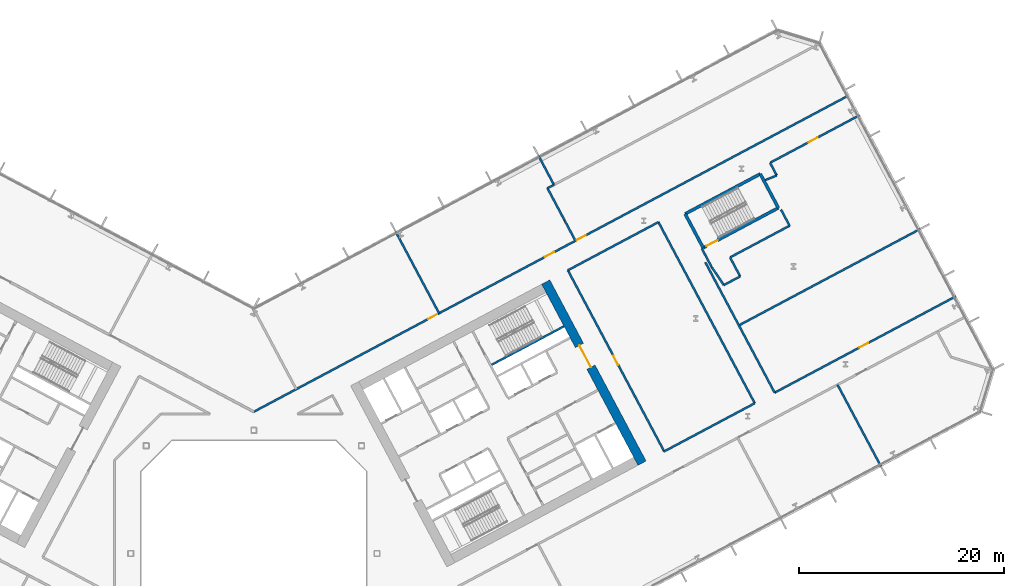
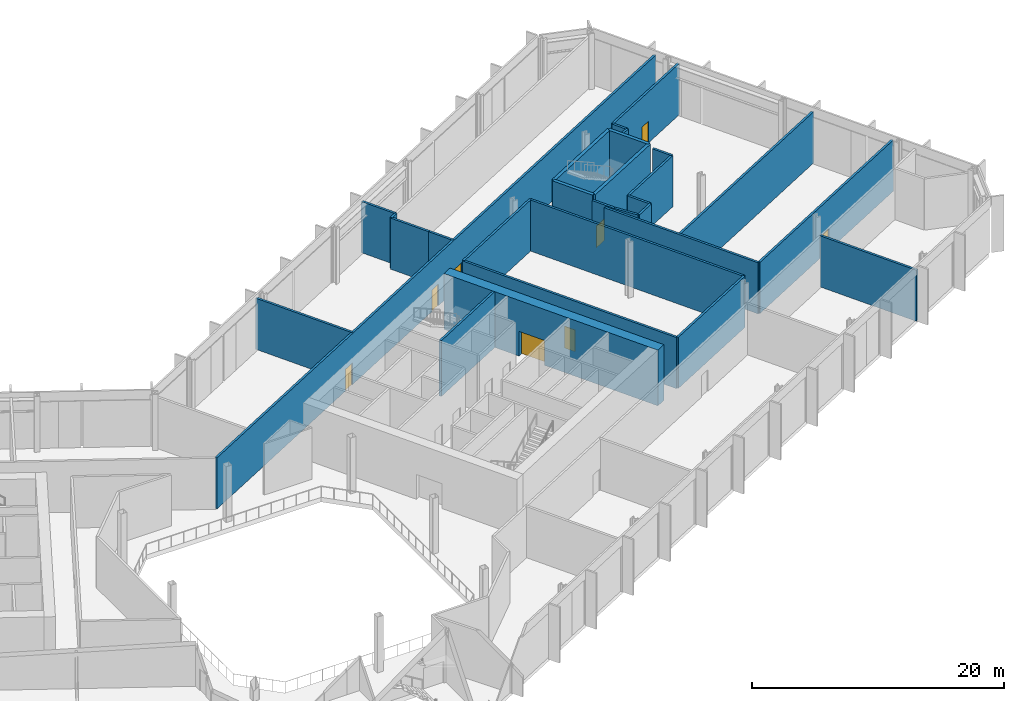
# One storey, part 17 of 32: 29 walls, 8 doors, 8 openings.
"""IFC4 building model written with IfcOpenShell, lengths in metres."""

from ifc_helpers import new_model, si_unit, direction, frame, frame_2d, origin, place, context, subcontext, project, spatial, rectangle, extrude, material, layer, layer_set, type_object, element, fill, save


model = new_model("IFC4")

# Units and contexts
model_context = context("Model", 3, precision=1e-05, world=origin(), true_north=direction((0.0, 1.0)))
body_context = subcontext(model_context, "Body", "Model", "MODEL_VIEW")
ifc_project = project(units=[si_unit("LENGTHUNIT", "METRE"), si_unit("AREAUNIT", "SQUARE_METRE"), si_unit("VOLUMEUNIT", "CUBIC_METRE"), si_unit("PLANEANGLEUNIT", "RADIAN"), si_unit("MASSUNIT", "GRAM", prefix="KILO")], contexts=[model_context])

# Site, building, storey
site_placement = place(None, origin())
site = spatial("IfcSite", under=ifc_project, at=site_placement, CompositionType="ELEMENT")
building_placement = place(site_placement, origin())
building = spatial("IfcBuilding", under=site, at=building_placement, Name="Cormorant Relay Tower", CompositionType="ELEMENT")
storey_placement = place(building_placement, frame((0.0, 0.0, 28.39990234375)))
storey = spatial("IfcBuildingStorey", under=building, at=storey_placement, Name="L05", CompositionType="ELEMENT", Elevation=28.39990234375)

# Wall
ifc_material_1 = material(Name="Concrete 50 MPa", Category="concrete")
ifc_layer_1 = layer(ifc_material_1, 0.199951171875)
ifc_layer_set_1 = layer_set([ifc_layer_1], Name="Core shaft wall 200")
wall_type_1 = type_object("IfcWallType", Name="Core shaft wall 200", PredefinedType="SHEAR", material=ifc_layer_set_1)
wall_1_placement = place(storey_placement, frame((23.18212890625, 18.385498046875, 0.0), z_axis=(0.0, 0.0, 1.0), x_axis=(0.88295287151, 0.469461634952, 0.0)))
element("IfcWall", 1, at=wall_1_placement, inside=storey, type_object=wall_type_1, Name="L05 core B shaft wall", PredefinedType="SHEAR", context=body_context, shape_type="SweptSolid", body=[
    extrude(rectangle(XDim=7.999755859375, YDim=0.199951171875, at=frame_2d((4.0, 0.0))), origin(), (0.0, 0.0, 1.0), 5.400146484375),
])

# Wall, opening, door
ifc_material_2 = material(Name="Concrete 70 MPa", Category="concrete")
ifc_layer_2 = layer(ifc_material_2, 0.89990234375)
ifc_layer_set_2 = layer_set([ifc_layer_2], Name="Core wall 900")
wall_type_2 = type_object("IfcWallType", Name="Core wall 900", PredefinedType="SHEAR", material=ifc_layer_set_2)
wall_2_placement = place(storey_placement, frame((37.849365234375, 8.799072265625, 0.0), z_axis=(0.0, 0.0, 1.0), x_axis=(-0.469465789982, 0.882950662289, 0.0)))
wall_2 = element("IfcWall", 2, at=wall_2_placement, inside=storey, type_object=wall_type_2, Name="L05 core B wall", PredefinedType="SHEAR", context=body_context, shape_type="SweptSolid", body=[
    extrude(rectangle(XDim=20.000244140625, YDim=0.89990234375, at=frame_2d((10.0, 0.0))), origin(), (0.0, 0.0, 1.0), 5.400146484375),
])
opening_1_placement = place(wall_2_placement, frame((10.60009765625, 0.0, 0.0)))
opening_1 = element("IfcOpeningElement", 3, at=opening_1_placement, cuts=wall_2, Name="Opening CDA-016", PredefinedType="OPENING", context=body_context, shape_type="SweptSolid", body=[
    extrude(rectangle(XDim=2.39990234375, YDim=2.39990234375, at=frame_2d((1.199951171875, 1.199951171875))), frame((0.0, 0.4599609375, 0.0), z_axis=(0.0, -1.0, 0.0), x_axis=(1.0, 0.0, 0.0)), (0.0, 0.0, 1.0), 0.919921875),
])
ifc_material_3 = material(Name="Steel fire door", Category="steel")
door_type_1 = type_object("IfcDoorType", Name="Core lobby door 2400x2400", OperationType="DOUBLE_DOOR_SINGLE_SWING", PredefinedType="DOOR", material=ifc_material_3)
door_1_placement = place(opening_1_placement, origin())
door_1 = element("IfcDoor", 4, at=door_1_placement, inside=storey, type_object=door_type_1, Name="Core lobby door 2400x2400", OperationType="DOUBLE_DOOR_SINGLE_SWING", OverallHeight=2.39990234375, OverallWidth=2.39990234375, PredefinedType="DOOR", context=body_context, shape_type="SweptSolid", body=[
    extrude(rectangle(XDim=2.39990234375, YDim=2.39990234375, at=frame_2d((1.199951171875, 1.199951171875))), frame((0.0, 0.02490234375, 0.0), z_axis=(0.0, -1.0, 0.0), x_axis=(1.0, 0.0, 0.0)), (0.0, 0.0, 1.0), 0.050048828125),
])
fill(opening_1, door_1)

# Wall, openings, doors
ifc_material_4 = material(Name="Fire-rated gypsum board partition")
ifc_layer_3 = layer(ifc_material_4, 0.199951171875)
ifc_layer_set_3 = layer_set([ifc_layer_3], Name="Fire-rated gypsum partition 200")
wall_type_3 = type_object("IfcWallType", Name="Fire-rated gypsum partition 200", PredefinedType="PARTITIONING", material=ifc_layer_set_3)
wall_3_placement = place(storey_placement, frame((0.0, 13.81494140625, 0.0), z_axis=(0.0, 0.0, 1.0), x_axis=(0.882946053005, 0.469474458819, 0.0)))
wall_3 = element("IfcWall", 5, at=wall_3_placement, inside=storey, type_object=wall_type_3, Name="wall/L05/part/9", PredefinedType="PARTITIONING", context=body_context, shape_type="SweptSolid", body=[
    extrude(rectangle(XDim=65.714111328125, YDim=0.199951171875, at=frame_2d((32.85693359375, 0.0))), origin(), (0.0, 0.0, 1.0), 4.9501953125),
])
opening_2_placement = place(wall_3_placement, frame((35.64990234375, 0.0, 0.0)))
opening_2 = element("IfcOpeningElement", 6, at=opening_2_placement, cuts=wall_3, Name="Opening FD1-041", PredefinedType="OPENING", context=body_context, shape_type="SweptSolid", body=[
    extrude(rectangle(XDim=1.0, YDim=2.10009765625, at=frame_2d((0.5, 1.050048828125))), frame((0.0, 0.10986328125, 0.0), z_axis=(0.0, -1.0, 0.0), x_axis=(1.0, 0.0, 0.0)), (0.0, 0.0, 1.0), 0.219970703125),
])
opening_3_placement = place(wall_3_placement, frame((32.14990234375, 0.0, 0.0)))
opening_3 = element("IfcOpeningElement", 7, at=opening_3_placement, cuts=wall_3, Name="Opening FD1-042", PredefinedType="OPENING", context=body_context, shape_type="SweptSolid", body=[
    extrude(rectangle(XDim=1.0, YDim=2.10009765625, at=frame_2d((0.5, 1.050048828125))), frame((0.0, 0.10986328125, 0.0), z_axis=(0.0, -1.0, 0.0), x_axis=(1.0, 0.0, 0.0)), (0.0, 0.0, 1.0), 0.219970703125),
])
opening_4_placement = place(wall_3_placement, frame((19.25, 0.0, 0.0)))
opening_4 = element("IfcOpeningElement", 8, at=opening_4_placement, cuts=wall_3, Name="Opening FD1-043", PredefinedType="OPENING", context=body_context, shape_type="SweptSolid", body=[
    extrude(rectangle(XDim=1.0, YDim=2.10009765625, at=frame_2d((0.5, 1.050048828125))), frame((0.0, 0.10986328125, 0.0), z_axis=(0.0, -1.0, 0.0), x_axis=(1.0, 0.0, 0.0)), (0.0, 0.0, 1.0), 0.219970703125),
])
ifc_material_5 = material(Name="Fire-rated steel door", Category="steel")
door_type_2 = type_object("IfcDoorType", Name="Fire door 1000 x 2100", OperationType="SINGLE_SWING_LEFT", PredefinedType="DOOR", material=ifc_material_5)
door_2_placement = place(opening_2_placement, origin())
door_2 = element("IfcDoor", 9, at=door_2_placement, inside=storey, type_object=door_type_2, Name="door/L05/4", OperationType="SINGLE_SWING_LEFT", OverallHeight=2.10009765625, OverallWidth=1.0, PredefinedType="DOOR", context=body_context, shape_type="SweptSolid", body=[
    extrude(rectangle(XDim=1.0, YDim=2.10009765625, at=frame_2d((0.5, 1.050048828125))), frame((0.0, 0.02490234375, 0.0), z_axis=(0.0, -1.0, 0.0), x_axis=(1.0, 0.0, 0.0)), (0.0, 0.0, 1.0), 0.050048828125),
])
fill(opening_2, door_2)
door_3_placement = place(opening_3_placement, origin())
door_3 = element("IfcDoor", 10, at=door_3_placement, inside=storey, type_object=door_type_2, Name="door/L05/5", OperationType="SINGLE_SWING_LEFT", OverallHeight=2.10009765625, OverallWidth=1.0, PredefinedType="DOOR", context=body_context, shape_type="SweptSolid", body=[
    extrude(rectangle(XDim=1.0, YDim=2.10009765625, at=frame_2d((0.5, 1.050048828125))), frame((0.0, 0.02490234375, 0.0), z_axis=(0.0, -1.0, 0.0), x_axis=(1.0, 0.0, 0.0)), (0.0, 0.0, 1.0), 0.050048828125),
])
fill(opening_3, door_3)
door_4_placement = place(opening_4_placement, origin())
door_4 = element("IfcDoor", 11, at=door_4_placement, inside=storey, type_object=door_type_2, Name="door/L05/6", OperationType="SINGLE_SWING_RIGHT", OverallHeight=2.10009765625, OverallWidth=1.0, PredefinedType="DOOR", context=body_context, shape_type="SweptSolid", body=[
    extrude(rectangle(XDim=1.0, YDim=2.10009765625, at=frame_2d((0.5, 1.050048828125))), frame((0.0, 0.02490234375, 0.0), z_axis=(0.0, -1.0, 0.0), x_axis=(1.0, 0.0, 0.0)), (0.0, 0.0, 1.0), 0.050048828125),
])
fill(opening_4, door_4)

# Walls
wall_4_placement = place(storey_placement, frame((13.833984375, 31.365966796875, 0.0), z_axis=(0.0, 0.0, 1.0), x_axis=(0.46934623538, -0.883014219214, 0.0)))
element("IfcWall", 12, at=wall_4_placement, inside=storey, type_object=wall_type_3, Name="wall/L05/part/26", PredefinedType="PARTITIONING", context=body_context, shape_type="SweptSolid", body=[
    extrude(rectangle(XDim=9.002197265625, YDim=0.199951171875, at=frame_2d((4.5009765625, 0.0))), origin(), (0.0, 0.0, 1.0), 4.9501953125),
])
wall_5_placement = place(storey_placement, frame((30.306884765625, 32.4619140625, 0.0), z_axis=(0.0, 0.0, 1.0), x_axis=(0.469652813312, -0.882851196379, 0.0)))
element("IfcWall", 13, at=wall_5_placement, inside=storey, type_object=wall_type_3, Name="wall/L05/part/34", PredefinedType="PARTITIONING", context=body_context, shape_type="SweptSolid", body=[
    extrude(rectangle(XDim=2.23583984375, YDim=0.199951171875, at=frame_2d((1.117919921875, 0.0))), origin(), (0.0, 0.0, 1.0), 4.9501953125),
])
wall_6_placement = place(storey_placement, frame((27.760009765625, 38.77099609375, 0.0), z_axis=(0.0, 0.0, 1.0), x_axis=(0.469320691295, -0.883027796121, 0.0)))
element("IfcWall", 14, at=wall_6_placement, inside=storey, type_object=wall_type_3, Name="wall/L05/part/36", PredefinedType="PARTITIONING", context=body_context, shape_type="SweptSolid", body=[
    extrude(rectangle(XDim=3.2001953125, YDim=0.199951171875, at=frame_2d((1.60009765625, 0.0))), origin(), (0.0, 0.0, 1.0), 4.9501953125),
])
wall_7_placement = place(storey_placement, frame((30.306884765625, 32.4619140625, 0.0), z_axis=(0.0, 0.0, 1.0), x_axis=(-0.469337071246, 0.883019090141, 0.0)))
element("IfcWall", 15, at=wall_7_placement, inside=storey, type_object=wall_type_3, Name="wall/L05/part/38", PredefinedType="PARTITIONING", context=body_context, shape_type="SweptSolid", body=[
    extrude(rectangle(XDim=3.56640625, YDim=0.199951171875, at=frame_2d((1.783203125, 0.0))), origin(), (0.0, 0.0, 1.0), 4.9501953125),
])
wall_8_placement = place(storey_placement, frame((28.633056640625, 35.611083984375, 0.0), z_axis=(0.0, 0.0, 1.0), x_axis=(0.882581167339, 0.470160061106, 0.0)))
element("IfcWall", 16, at=wall_8_placement, inside=storey, type_object=wall_type_3, Name="wall/L05/part/39", PredefinedType="PARTITIONING", context=body_context, shape_type="SweptSolid", body=[
    extrude(rectangle(XDim=0.71044921875, YDim=0.199951171875, at=frame_2d((0.355224609375, 0.0))), origin(), (0.0, 0.0, 1.0), 4.9501953125),
])
wall_9_placement = place(storey_placement, frame((44.028076171875, 28.3798828125, 0.0), z_axis=(0.0, 0.0, 1.0), x_axis=(0.469474817112, -0.882945862495, 0.0)))
element("IfcWall", 17, at=wall_9_placement, inside=storey, type_object=wall_type_3, Name="wall/L05/part/41", PredefinedType="PARTITIONING", context=body_context, shape_type="SweptSolid", body=[
    extrude(rectangle(XDim=14.39013671875, YDim=0.199951171875, at=frame_2d((7.195068359375, 0.0))), origin(), (0.0, 0.0, 1.0), 4.9501953125),
])

# Wall, opening, door
wall_10_placement = place(storey_placement, frame((50.783935546875, 15.674072265625, 0.0), z_axis=(0.0, 0.0, 1.0), x_axis=(0.882931064856, 0.469502646119, 0.0)))
wall_10 = element("IfcWall", 18, at=wall_10_placement, inside=storey, type_object=wall_type_3, Name="wall/L05/part/42", PredefinedType="PARTITIONING", context=body_context, shape_type="SweptSolid", body=[
    extrude(rectangle(XDim=20.001708984375, YDim=0.199951171875, at=frame_2d((10.0009765625, 0.0))), origin(), (0.0, 0.0, 1.0), 4.9501953125),
])
opening_5_placement = place(wall_10_placement, frame((9.35009765625, 0.0, 0.0)))
opening_5 = element("IfcOpeningElement", 19, at=opening_5_placement, cuts=wall_10, Name="Opening FD1-038", PredefinedType="OPENING", context=body_context, shape_type="SweptSolid", body=[
    extrude(rectangle(XDim=1.0, YDim=2.10009765625, at=frame_2d((0.5, 1.050048828125))), frame((0.0, 0.10986328125, 0.0), z_axis=(0.0, -1.0, 0.0), x_axis=(1.0, 0.0, 0.0)), (0.0, 0.0, 1.0), 0.219970703125),
])
door_5_placement = place(opening_5_placement, origin())
door_5 = element("IfcDoor", 20, at=door_5_placement, inside=storey, type_object=door_type_2, Name="door/L05/21", OperationType="SINGLE_SWING_LEFT", OverallHeight=2.10009765625, OverallWidth=1.0, PredefinedType="DOOR", context=body_context, shape_type="SweptSolid", body=[
    extrude(rectangle(XDim=1.0, YDim=2.10009765625, at=frame_2d((0.5, 1.050048828125))), frame((0.0, 0.02490234375, 0.0), z_axis=(0.0, -1.0, 0.0), x_axis=(1.0, 0.0, 0.0)), (0.0, 0.0, 1.0), 0.050048828125),
])
fill(opening_5, door_5)

# Walls
wall_11_placement = place(storey_placement, frame((64.9560546875, 31.625, 0.0), z_axis=(0.0, 0.0, 1.0), x_axis=(-0.882962064064, -0.469444345396, 0.0)))
element("IfcWall", 21, at=wall_11_placement, inside=storey, type_object=wall_type_3, Name="wall/L05/part/43", PredefinedType="PARTITIONING", context=body_context, shape_type="SweptSolid", body=[
    extrude(rectangle(XDim=20.002197265625, YDim=0.199951171875, at=frame_2d((10.0009765625, 0.0))), origin(), (0.0, 0.0, 1.0), 4.9501953125),
])
wall_12_placement = place(storey_placement, frame((44.641357421875, 27.9248046875, 0.0), z_axis=(0.0, 0.0, 1.0), x_axis=(-0.469289400299, 0.88304442627, 0.0)))
element("IfcWall", 22, at=wall_12_placement, inside=storey, type_object=wall_type_3, Name="wall/L05/part/44", PredefinedType="PARTITIONING", context=body_context, shape_type="SweptSolid", body=[
    extrude(rectangle(XDim=2.039794921875, YDim=0.199951171875, at=frame_2d((1.02001953125, 0.0))), origin(), (0.0, 0.0, 1.0), 4.9501953125),
])
wall_13_placement = place(storey_placement, frame((46.43603515625, 28.863037109375, 0.0), z_axis=(0.0, 0.0, 1.0), x_axis=(0.469342548312, -0.883016178982, 0.0)))
element("IfcWall", 23, at=wall_13_placement, inside=storey, type_object=wall_type_3, Name="wall/L05/part/45", PredefinedType="PARTITIONING", context=body_context, shape_type="SweptSolid", body=[
    extrude(rectangle(XDim=2.09619140625, YDim=0.199951171875, at=frame_2d((1.048095703125, 0.0))), origin(), (0.0, 0.0, 1.0), 4.9501953125),
])
wall_14_placement = place(storey_placement, frame((47.419921875, 27.011962890625, 0.0), z_axis=(0.0, 0.0, 1.0), x_axis=(-0.882911879422, -0.469538723829, 0.0)))
element("IfcWall", 24, at=wall_14_placement, inside=storey, type_object=wall_type_3, Name="wall/L05/part/46", PredefinedType="PARTITIONING", context=body_context, shape_type="SweptSolid", body=[
    extrude(rectangle(XDim=1.799560546875, YDim=0.199951171875, at=frame_2d((0.89990234375, 0.0))), origin(), (0.0, 0.0, 1.0), 4.9501953125),
])
wall_15_placement = place(storey_placement, frame((45.8310546875, 26.1669921875, 0.0), z_axis=(0.0, 0.0, 1.0), x_axis=(-0.560924797645, 0.827866759441, 0.0)))
element("IfcWall", 25, at=wall_15_placement, inside=storey, type_object=wall_type_3, Name="wall/L05/part/47", PredefinedType="PARTITIONING", context=body_context, shape_type="SweptSolid", body=[
    extrude(rectangle(XDim=2.11279296875, YDim=0.199951171875, at=frame_2d((1.056396484375, 0.0))), origin(), (0.0, 0.0, 1.0), 4.9501953125),
])
wall_16_placement = place(storey_placement, frame((51.404052734375, 33.52490234375, 0.0), z_axis=(0.0, 0.0, 1.0), x_axis=(0.469078340822, -0.883156560396, 0.0)))
element("IfcWall", 26, at=wall_16_placement, inside=storey, type_object=wall_type_3, Name="wall/L05/part/48", PredefinedType="PARTITIONING", context=body_context, shape_type="SweptSolid", body=[
    extrude(rectangle(XDim=1.780029296875, YDim=0.199951171875, at=frame_2d((0.89013671875, 0.0))), origin(), (0.0, 0.0, 1.0), 4.9501953125),
])
wall_17_placement = place(storey_placement, frame((52.239013671875, 31.952880859375, 0.0), z_axis=(0.0, 0.0, 1.0), x_axis=(-0.882908561856, -0.469544962065, 0.0)))
element("IfcWall", 27, at=wall_17_placement, inside=storey, type_object=wall_type_3, Name="wall/L05/part/49", PredefinedType="PARTITIONING", context=body_context, shape_type="SweptSolid", body=[
    extrude(rectangle(XDim=6.548828125, YDim=0.199951171875, at=frame_2d((3.2744140625, 0.0))), origin(), (0.0, 0.0, 1.0), 4.9501953125),
])
wall_18_placement = place(storey_placement, frame((49.859130859375, 36.397216796875, 0.0), z_axis=(0.0, 0.0, 1.0), x_axis=(0.927439235731, 0.373973881477, 0.0)))
element("IfcWall", 28, at=wall_18_placement, inside=storey, type_object=wall_type_3, Name="wall/L05/part/50", PredefinedType="PARTITIONING", context=body_context, shape_type="SweptSolid", body=[
    extrude(rectangle(XDim=1.221435546875, YDim=0.199951171875, at=frame_2d((0.61083984375, 0.0))), origin(), (0.0, 0.0, 1.0), 4.9501953125),
])
wall_19_placement = place(storey_placement, frame((50.3369140625, 38.0869140625, 0.0), z_axis=(0.0, 0.0, 1.0), x_axis=(0.469436222784, -0.882966382564, 0.0)))
element("IfcWall", 29, at=wall_19_placement, inside=storey, type_object=wall_type_3, Name="wall/L05/part/51", PredefinedType="PARTITIONING", context=body_context, shape_type="SweptSolid", body=[
    extrude(rectangle(XDim=1.3974609375, YDim=0.199951171875, at=frame_2d((0.69873046875, 0.0))), origin(), (0.0, 0.0, 1.0), 4.9501953125),
])

# Wall, opening, door
wall_20_placement = place(storey_placement, frame((50.3349609375, 38.091064453125, 0.0), z_axis=(0.0, 0.0, 1.0), x_axis=(0.882925167554, 0.46951373622, 0.0)))
wall_20 = element("IfcWall", 30, at=wall_20_placement, inside=storey, type_object=wall_type_3, Name="wall/L05/part/52", PredefinedType="PARTITIONING", context=body_context, shape_type="SweptSolid", body=[
    extrude(rectangle(XDim=9.8740234375, YDim=0.199951171875, at=frame_2d((4.93701171875, 0.0))), origin(), (0.0, 0.0, 1.0), 4.9501953125),
])
opening_6_placement = place(wall_20_placement, frame((4.25, 0.0, 0.0)))
opening_6 = element("IfcOpeningElement", 31, at=opening_6_placement, cuts=wall_20, Name="Opening FD1-039", PredefinedType="OPENING", context=body_context, shape_type="SweptSolid", body=[
    extrude(rectangle(XDim=1.0, YDim=2.10009765625, at=frame_2d((0.5, 1.050048828125))), frame((0.0, 0.10986328125, 0.0), z_axis=(0.0, -1.0, 0.0), x_axis=(1.0, 0.0, 0.0)), (0.0, 0.0, 1.0), 0.219970703125),
])
door_6_placement = place(opening_6_placement, frame((1.0, 0.0, 0.0), z_axis=(0.0, 0.0, 1.0), x_axis=(-1.0, 0.0, 0.0)))
door_6 = element("IfcDoor", 32, at=door_6_placement, inside=storey, type_object=door_type_2, Name="door/L05/22", OperationType="SINGLE_SWING_RIGHT", OverallHeight=2.10009765625, OverallWidth=1.0, PredefinedType="DOOR", context=body_context, shape_type="SweptSolid", body=[
    extrude(rectangle(XDim=1.0, YDim=2.10009765625, at=frame_2d((0.5, 1.050048828125))), frame((0.0, 0.02490234375, 0.0), z_axis=(0.0, -1.0, 0.0), x_axis=(1.0, 0.0, 0.0)), (0.0, 0.0, 1.0), 0.050048828125),
])
fill(opening_6, door_6)

# Walls
wall_21_placement = place(storey_placement, frame((56.916015625, 16.447998046875, 0.0), z_axis=(0.0, 0.0, 1.0), x_axis=(0.469430813661, -0.882969258347, 0.0)))
element("IfcWall", 33, at=wall_21_placement, inside=storey, type_object=wall_type_3, Name="wall/L05/part/53", PredefinedType="PARTITIONING", context=body_context, shape_type="SweptSolid", body=[
    extrude(rectangle(XDim=9.00244140625, YDim=0.199951171875, at=frame_2d((4.501220703125, 0.0))), origin(), (0.0, 0.0, 1.0), 4.9501953125),
])
wall_22_placement = place(storey_placement, frame((30.6201171875, 27.60888671875, 0.0), z_axis=(0.0, 0.0, 1.0), x_axis=(0.882924481944, 0.469515025515, 0.0)))
element("IfcWall", 34, at=wall_22_placement, inside=storey, type_object=wall_type_3, Name="wall/L05/part/65", PredefinedType="PARTITIONING", context=body_context, shape_type="SweptSolid", body=[
    extrude(rectangle(XDim=10.00390625, YDim=0.199951171875, at=frame_2d((5.001953125, 0.0))), origin(), (0.0, 0.0, 1.0), 4.9501953125),
])
wall_23_placement = place(storey_placement, frame((39.452880859375, 32.305908203125, 0.0), z_axis=(0.0, 0.0, 1.0), x_axis=(0.469494565876, -0.882935361514, 0.0)))
element("IfcWall", 35, at=wall_23_placement, inside=storey, type_object=wall_type_3, Name="wall/L05/part/66", PredefinedType="PARTITIONING", context=body_context, shape_type="SweptSolid", body=[
    extrude(rectangle(XDim=20.004638671875, YDim=0.199951171875, at=frame_2d((10.00244140625, 0.0))), origin(), (0.0, 0.0, 1.0), 4.9501953125),
])
wall_24_placement = place(storey_placement, frame((48.844970703125, 14.64306640625, 0.0), z_axis=(0.0, 0.0, 1.0), x_axis=(-0.882970325556, -0.469428806304, 0.0)))
element("IfcWall", 36, at=wall_24_placement, inside=storey, type_object=wall_type_3, Name="wall/L05/part/67", PredefinedType="PARTITIONING", context=body_context, shape_type="SweptSolid", body=[
    extrude(rectangle(XDim=10.003662109375, YDim=0.199951171875, at=frame_2d((5.001953125, 0.0))), origin(), (0.0, 0.0, 1.0), 4.9501953125),
])

# Wall, opening, door
wall_25_placement = place(storey_placement, frame((40.011962890625, 9.947021484375, 0.0), z_axis=(0.0, 0.0, 1.0), x_axis=(-0.469505288447, 0.882929659781, 0.0)))
wall_25 = element("IfcWall", 37, at=wall_25_placement, inside=storey, type_object=wall_type_3, Name="wall/L05/part/68", PredefinedType="PARTITIONING", context=body_context, shape_type="SweptSolid", body=[
    extrude(rectangle(XDim=20.003662109375, YDim=0.199951171875, at=frame_2d((10.001953125, 0.0))), origin(), (0.0, 0.0, 1.0), 4.9501953125),
])
opening_7_placement = place(wall_25_placement, frame((9.550048828125, 0.0, 0.0)))
opening_7 = element("IfcOpeningElement", 38, at=opening_7_placement, cuts=wall_25, Name="Opening FD1-037", PredefinedType="OPENING", context=body_context, shape_type="SweptSolid", body=[
    extrude(rectangle(XDim=1.0, YDim=2.10009765625, at=frame_2d((0.5, 1.050048828125))), frame((0.0, 0.10986328125, 0.0), z_axis=(0.0, -1.0, 0.0), x_axis=(1.0, 0.0, 0.0)), (0.0, 0.0, 1.0), 0.219970703125),
])
door_7_placement = place(opening_7_placement, origin())
door_7 = element("IfcDoor", 39, at=door_7_placement, inside=storey, type_object=door_type_2, Name="door/L05/20", OperationType="SINGLE_SWING_RIGHT", OverallHeight=2.10009765625, OverallWidth=1.0, PredefinedType="DOOR", context=body_context, shape_type="SweptSolid", body=[
    extrude(rectangle(XDim=1.0, YDim=2.10009765625, at=frame_2d((0.5, 1.050048828125))), frame((0.0, 0.02490234375, 0.0), z_axis=(0.0, -1.0, 0.0), x_axis=(1.0, 0.0, 0.0)), (0.0, 0.0, 1.0), 0.050048828125),
])
fill(opening_7, door_7)

# Wall
ifc_material_6 = material(Name="Concrete 50 MPa", Category="concrete")
ifc_layer_4 = layer(ifc_material_6, 0.300048828125)
ifc_layer_set_4 = layer_set([ifc_layer_4], Name="Remote stair wall 300")
wall_type_4 = type_object("IfcWallType", Name="Remote stair wall 300", PredefinedType="SHEAR", material=ifc_layer_set_4)
wall_26_placement = place(storey_placement, frame((49.384033203125, 37.00390625, 0.0), z_axis=(0.0, 0.0, 1.0), x_axis=(0.46946936446, -0.882948761726, 0.0)))
element("IfcWall", 40, at=wall_26_placement, inside=storey, type_object=wall_type_4, Name="L05 exit stair RB1 wall", PredefinedType="SHEAR", context=body_context, shape_type="SweptSolid", body=[
    extrude(rectangle(XDim=3.75, YDim=0.300048828125, at=frame_2d((1.875, 0.0))), origin(), (0.0, 0.0, 1.0), 5.400146484375),
])

# Wall, opening, door
wall_27_placement = place(storey_placement, frame((51.14453125, 33.69287109375, 0.0), z_axis=(0.0, 0.0, 1.0), x_axis=(-0.882945809314, -0.469474917132, 0.0)))
wall_27 = element("IfcWall", 41, at=wall_27_placement, inside=storey, type_object=wall_type_4, Name="L05 exit stair RB1 wall", PredefinedType="SHEAR", context=body_context, shape_type="SweptSolid", body=[
    extrude(rectangle(XDim=8.30029296875, YDim=0.300048828125, at=frame_2d((4.150146484375, 0.0))), origin(), (0.0, 0.0, 1.0), 5.400146484375),
])
opening_8_placement = place(wall_27_placement, frame((6.72509765625, 0.0, 0.0)))
opening_8 = element("IfcOpeningElement", 42, at=opening_8_placement, cuts=wall_27, Name="Opening CDB-023", PredefinedType="OPENING", context=body_context, shape_type="SweptSolid", body=[
    extrude(rectangle(XDim=1.199951171875, YDim=2.10009765625, at=frame_2d((0.60009765625, 1.050048828125))), frame((0.0, 0.159912109375, 0.0), z_axis=(0.0, -1.0, 0.0), x_axis=(1.0, 0.0, 0.0)), (0.0, 0.0, 1.0), 0.320068359375),
])
ifc_material_7 = material(Name="Steel fire door", Category="steel")
door_type_3 = type_object("IfcDoorType", Name="Core stair door 1200x2100", OperationType="SINGLE_SWING_LEFT", PredefinedType="DOOR", material=ifc_material_7)
door_8_placement = place(opening_8_placement, frame((1.199951171875, 0.0, 0.0), z_axis=(0.0, 0.0, 1.0), x_axis=(-1.0, 0.0, 0.0)))
door_8 = element("IfcDoor", 43, at=door_8_placement, inside=storey, type_object=door_type_3, Name="Exit stair RB1 door", OperationType="SINGLE_SWING_LEFT", OverallHeight=2.10009765625, OverallWidth=1.199951171875, PredefinedType="DOOR", context=body_context, shape_type="SweptSolid", body=[
    extrude(rectangle(XDim=1.199951171875, YDim=2.10009765625, at=frame_2d((0.60009765625, 1.050048828125))), frame((0.0, 0.02490234375, 0.0), z_axis=(0.0, -1.0, 0.0), x_axis=(1.0, 0.0, 0.0)), (0.0, 0.0, 1.0), 0.050048828125),
])
fill(opening_8, door_8)

# Walls
wall_28_placement = place(storey_placement, frame((43.81591796875, 29.796142578125, 0.0), z_axis=(0.0, 0.0, 1.0), x_axis=(-0.46946936446, 0.882948761726, 0.0)))
element("IfcWall", 44, at=wall_28_placement, inside=storey, type_object=wall_type_4, Name="L05 exit stair RB1 wall", PredefinedType="SHEAR", context=body_context, shape_type="SweptSolid", body=[
    extrude(rectangle(XDim=3.75, YDim=0.300048828125, at=frame_2d((1.875, 0.0))), origin(), (0.0, 0.0, 1.0), 5.400146484375),
])
wall_29_placement = place(storey_placement, frame((42.055419921875, 33.107177734375, 0.0), z_axis=(0.0, 0.0, 1.0), x_axis=(0.882945809314, 0.469474917132, 0.0)))
element("IfcWall", 45, at=wall_29_placement, inside=storey, type_object=wall_type_4, Name="L05 exit stair RB1 wall", PredefinedType="SHEAR", context=body_context, shape_type="SweptSolid", body=[
    extrude(rectangle(XDim=8.30029296875, YDim=0.300048828125, at=frame_2d((4.150146484375, 0.0))), origin(), (0.0, 0.0, 1.0), 5.400146484375),
])

save(model, "model.ifc")
